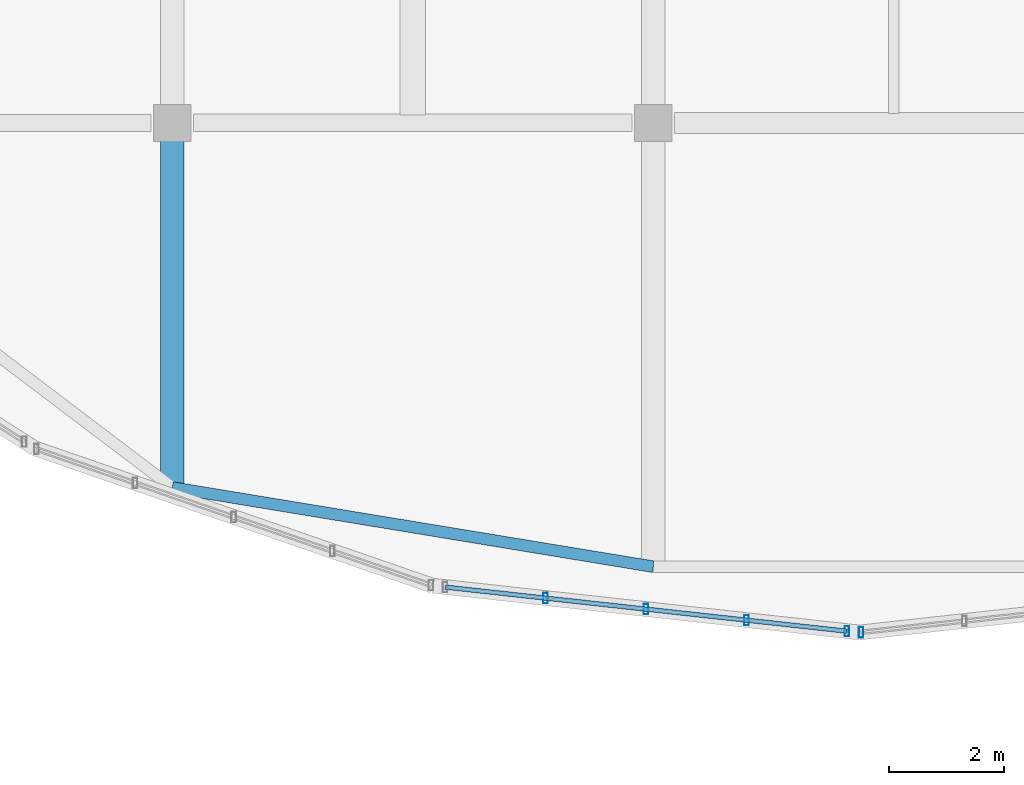
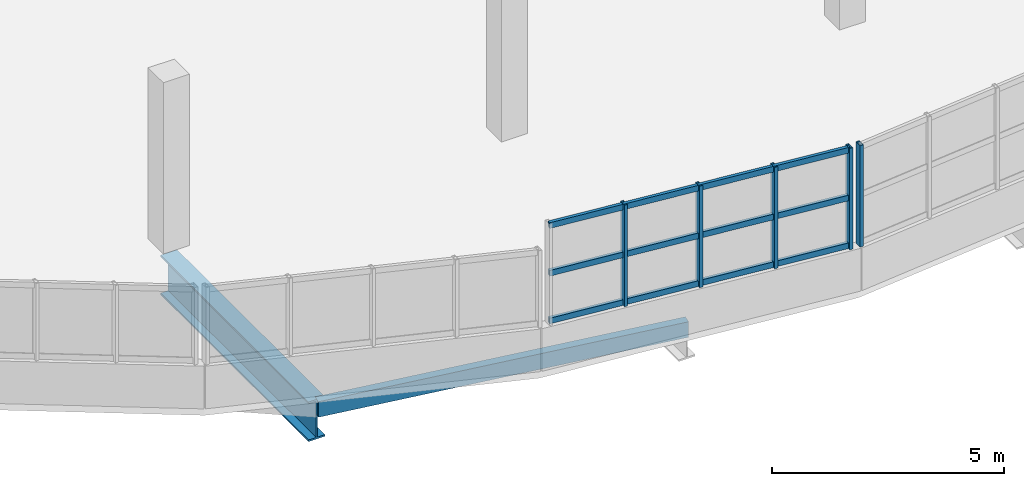
# One storey, part 4 of 50: 8 members, 2 beams, 2 elements without a shape of their own.
"""IFC4 building model written with IfcOpenShell, lengths in metres."""

from ifc_helpers import new_model, si_unit, direction, frame, origin, origin_2d, place, context, subcontext, project, spatial, hollow_rectangle, i_section, extrude, material, material_profile, profile_set, type_object, element, aggregate, save


model = new_model("IFC4")

# Units and contexts
model_context = context("Model", 3, precision=1e-05, world=origin(), true_north=direction((0.0, 1.0)))
body_context = subcontext(model_context, "Body", "Model", "MODEL_VIEW")
ifc_project = project(units=[si_unit("LENGTHUNIT", "METRE"), si_unit("AREAUNIT", "SQUARE_METRE"), si_unit("VOLUMEUNIT", "CUBIC_METRE"), si_unit("PLANEANGLEUNIT", "RADIAN"), si_unit("MASSUNIT", "GRAM", prefix="KILO")], contexts=[model_context])

# Site, building, storey
site_placement = place(None, origin())
site = spatial("IfcSite", under=ifc_project, at=site_placement, CompositionType="ELEMENT")
building_placement = place(site_placement, origin())
building = spatial("IfcBuilding", under=site, at=building_placement, Name="Solvento Point Concert Hall", CompositionType="ELEMENT")
storey_placement = place(building_placement, frame((0.0, 0.0, 15.0)))
storey = spatial("IfcBuildingStorey", under=building, at=storey_placement, Name="L03", CompositionType="ELEMENT", Elevation=15.0)

# Beam
ifc_material_1 = material(Name="Structural Steel ASTM A992 Grade 50", Category="steel")
ifc_material_profile_1 = material_profile(ifc_material_1, i_section(OverallWidth=0.408935546875, OverallDepth=1.041015625, WebThickness=0.031005859375, FlangeThickness=0.04443359375, at=origin_2d()), Name="W40X397")
ifc_profile_set_1 = profile_set([ifc_material_profile_1], Name="Structural Steel ASTM A992 Grade 50")
beam_type_1 = type_object("IfcBeamType", Name="CantileverGirder_W40X397", PredefinedType="USERDEFINED", material=ifc_profile_set_1)
beam_1_placement = place(storey_placement, frame((49.199951171875, 17.0, -0.785400390625), z_axis=(0.0, -1.0, 0.0), x_axis=(1.0, 0.0, 0.0)))
element("IfcBeam", 1, at=beam_1_placement, inside=storey, type_object=beam_type_1, Name="Radial cantilever girder CG-01 L03", ObjectType="GIRDER", PredefinedType="USERDEFINED", context=body_context, shape_type="SweptSolid", body=[
    extrude(i_section(OverallWidth=0.408935546875, OverallDepth=1.041015625, WebThickness=0.031005859375, FlangeThickness=0.04443359375, at=origin_2d()), origin(), (0.0, 0.0, 1.0), 6.367431640625),
])

# Curtain wall, member
ifc_material_2 = material(Name="Anodized Bronze Aluminium", Category="aluminium")
curtain_wall_type = type_object("IfcCurtainWallType", Name="CurtainWall_RingRibbon_L03_04", PredefinedType="USERDEFINED", material=ifc_material_2)
curtain_wall_1_placement = place(storey_placement, origin())
curtain_wall_1 = element("IfcCurtainWall", 2, at=curtain_wall_1_placement, inside=storey, type_object=curtain_wall_type, Name="Unitised curtain wall CW-31 UCW-L03-207", ObjectType="UNITISED CURTAIN WALL", PredefinedType="USERDEFINED")
ifc_material_3 = material(Name="Anodized Bronze Aluminium", Category="aluminium")
ifc_material_profile_2 = material_profile(ifc_material_3, hollow_rectangle(XDim=0.080078125, YDim=0.179931640625, WallThickness=0.00390625, at=origin_2d()), Name="CW-MUL-80X180")
ifc_profile_set_2 = profile_set([ifc_material_profile_2], Name="Anodized Bronze Aluminium")
member_type_1 = type_object("IfcMemberType", Name="Mullion_80x180", PredefinedType="MULLION", material=ifc_profile_set_2)
member_1_placement = place(storey_placement, frame((61.229736328125, 8.103271484375, 1.1201171875), z_axis=(0.0, 0.0, 1.0), x_axis=(1.0, 0.0, 0.0)))
member_1 = element("IfcMember", 3, at=member_1_placement, type_object=member_type_1, Name="Curtain wall mullion ML-01", PredefinedType="MULLION", context=body_context, shape_type="SweptSolid", body=[
    extrude(hollow_rectangle(XDim=0.080078125, YDim=0.179931640625, WallThickness=0.00390625, at=origin_2d()), origin(), (0.0, 0.0, 1.0), 2.66748046875),
])
aggregate(curtain_wall_1, [member_1])

# Curtain wall, members
curtain_wall_2_placement = place(storey_placement, origin())
curtain_wall_2 = element("IfcCurtainWall", 4, at=curtain_wall_2_placement, inside=storey, type_object=curtain_wall_type, Name="Unitised curtain wall CW-31 UCW-L03-208", ObjectType="UNITISED CURTAIN WALL", PredefinedType="USERDEFINED")
member_2_placement = place(storey_placement, frame((60.981201171875, 8.1240234375, 1.1201171875), z_axis=(0.0, 0.0, 1.0), x_axis=(1.0, 0.0, 0.0)))
member_2 = element("IfcMember", 5, at=member_2_placement, type_object=member_type_1, Name="Curtain wall mullion ML-01", PredefinedType="MULLION", context=body_context, shape_type="SweptSolid", body=[
    extrude(hollow_rectangle(XDim=0.080078125, YDim=0.179931640625, WallThickness=0.00390625, at=origin_2d()), origin(), (0.0, 0.0, 1.0), 2.66748046875),
])
member_3_placement = place(storey_placement, frame((59.227294921875, 8.31640625, 1.1201171875), z_axis=(0.0, 0.0, 1.0), x_axis=(1.0, 0.0, 0.0)))
member_3 = element("IfcMember", 6, at=member_3_placement, type_object=member_type_1, Name="Curtain wall mullion ML-01", PredefinedType="MULLION", context=body_context, shape_type="SweptSolid", body=[
    extrude(hollow_rectangle(XDim=0.080078125, YDim=0.179931640625, WallThickness=0.00390625, at=origin_2d()), origin(), (0.0, 0.0, 1.0), 2.66748046875),
])
member_4_placement = place(storey_placement, frame((57.472900390625, 8.5087890625, 1.1201171875), z_axis=(0.0, 0.0, 1.0), x_axis=(1.0, 0.0, 0.0)))
member_4 = element("IfcMember", 7, at=member_4_placement, type_object=member_type_1, Name="Curtain wall mullion ML-01", PredefinedType="MULLION", context=body_context, shape_type="SweptSolid", body=[
    extrude(hollow_rectangle(XDim=0.080078125, YDim=0.179931640625, WallThickness=0.00390625, at=origin_2d()), origin(), (0.0, 0.0, 1.0), 2.66748046875),
])
member_5_placement = place(storey_placement, frame((55.71875, 8.701416015625, 1.1201171875), z_axis=(0.0, 0.0, 1.0), x_axis=(1.0, 0.0, 0.0)))
member_5 = element("IfcMember", 8, at=member_5_placement, type_object=member_type_1, Name="Curtain wall mullion ML-01", PredefinedType="MULLION", context=body_context, shape_type="SweptSolid", body=[
    extrude(hollow_rectangle(XDim=0.080078125, YDim=0.179931640625, WallThickness=0.00390625, at=origin_2d()), origin(), (0.0, 0.0, 1.0), 2.66748046875),
])

# Beam
ifc_material_4 = material(Name="Structural Steel ASTM A500 Grade C", Category="steel")
ifc_material_profile_3 = material_profile(ifc_material_4, hollow_rectangle(XDim=0.203125, YDim=0.406494140625, WallThickness=0.01171875, at=origin_2d()), Name="HSS16X8X1/2")
ifc_profile_set_3 = profile_set([ifc_material_profile_3], Name="Structural Steel ASTM A500 Grade C")
beam_type_2 = type_object("IfcBeamType", Name="RingBeam_HSS16X8", PredefinedType="SPANDREL", material=ifc_profile_set_3)
beam_2_placement = place(storey_placement, frame((49.199951171875, 10.632568359375, -0.46728515625), z_axis=(0.986724416189, -0.162403591388, 0.0), x_axis=(0.162403591388, 0.986724416189, 0.0)))
element("IfcBeam", 9, at=beam_2_placement, inside=storey, type_object=beam_type_2, Name="Elliptical perimeter ring beam RB-01 L03", PredefinedType="SPANDREL", context=body_context, shape_type="SweptSolid", body=[
    extrude(hollow_rectangle(XDim=0.203125, YDim=0.406494140625, WallThickness=0.01171875, at=origin_2d()), origin(), (0.0, 0.0, 1.0), 8.51318359375),
])

# Member
ifc_material_5 = material(Name="Anodized Bronze Aluminium", Category="aluminium")
ifc_material_profile_4 = material_profile(ifc_material_5, hollow_rectangle(XDim=0.080078125, YDim=0.14990234375, WallThickness=0.00390625, at=origin_2d()), Name="CW-TRN-80X150")
ifc_profile_set_4 = profile_set([ifc_material_profile_4], Name="Anodized Bronze Aluminium")
member_type_2 = type_object("IfcMemberType", Name="Transom_80x150", PredefinedType="USERDEFINED", material=ifc_profile_set_4)
member_6_placement = place(storey_placement, frame((60.981201171875, 8.1240234375, 1.199951171875), z_axis=(-0.994035890975, 0.109053415597, 0.0), x_axis=(-0.109053415597, -0.994035890975, 0.0)))
member_6 = element("IfcMember", 10, at=member_6_placement, type_object=member_type_2, Name="Curtain wall transom TR-01", ObjectType="TRANSOM", PredefinedType="USERDEFINED", context=body_context, shape_type="SweptSolid", body=[
    extrude(hollow_rectangle(XDim=0.080078125, YDim=0.14990234375, WallThickness=0.00390625, at=origin_2d()), origin(), (0.0, 0.0, 1.0), 7.05859375),
])

member_7_placement = place(storey_placement, frame((60.981201171875, 8.1240234375, 2.453857421875), z_axis=(-0.994035890975, 0.109053415597, 0.0), x_axis=(-0.109053415597, -0.994035890975, 0.0)))
member_7 = element("IfcMember", 11, at=member_7_placement, type_object=member_type_2, Name="Curtain wall transom TR-01", ObjectType="TRANSOM", PredefinedType="USERDEFINED", context=body_context, shape_type="SweptSolid", body=[
    extrude(hollow_rectangle(XDim=0.080078125, YDim=0.14990234375, WallThickness=0.00390625, at=origin_2d()), origin(), (0.0, 0.0, 1.0), 7.05859375),
])

member_8_placement = place(storey_placement, frame((60.981201171875, 8.1240234375, 3.70751953125), z_axis=(-0.994035890975, 0.109053415597, 0.0), x_axis=(-0.109053415597, -0.994035890975, 0.0)))
member_8 = element("IfcMember", 12, at=member_8_placement, type_object=member_type_2, Name="Curtain wall transom TR-01", ObjectType="TRANSOM", PredefinedType="USERDEFINED", context=body_context, shape_type="SweptSolid", body=[
    extrude(hollow_rectangle(XDim=0.080078125, YDim=0.14990234375, WallThickness=0.00390625, at=origin_2d()), origin(), (0.0, 0.0, 1.0), 7.05859375),
])

aggregate(curtain_wall_2, [member_2, member_3, member_4, member_5, member_6, member_7, member_8])

save(model, "model.ifc")
